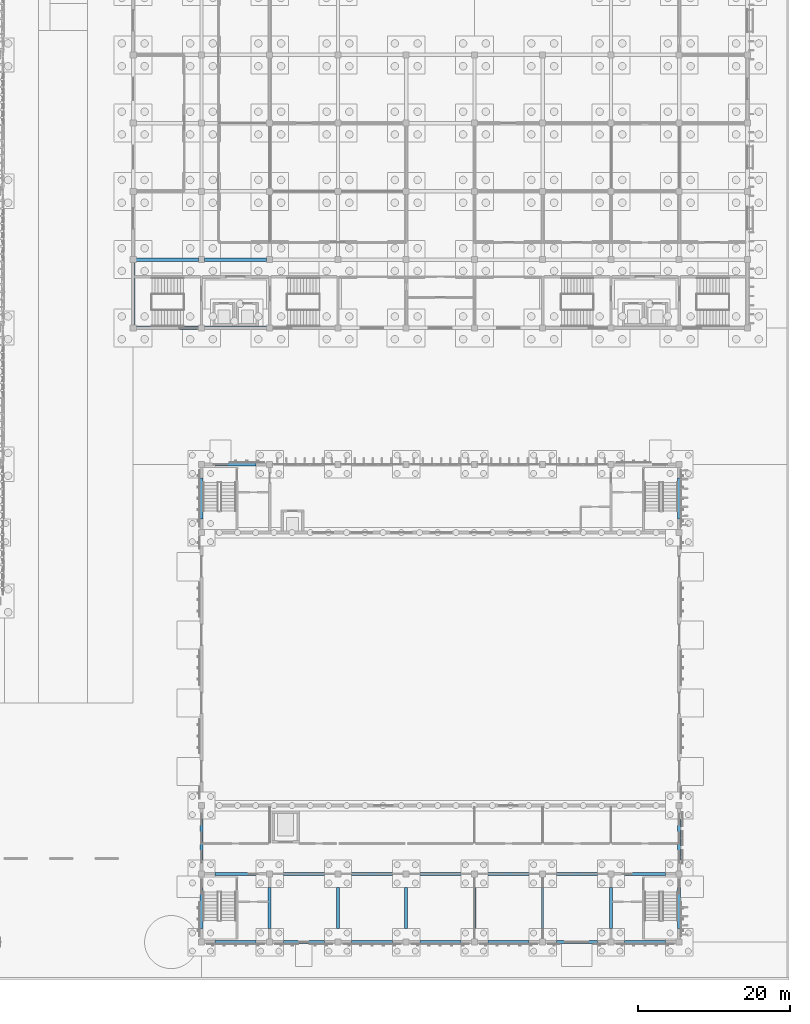
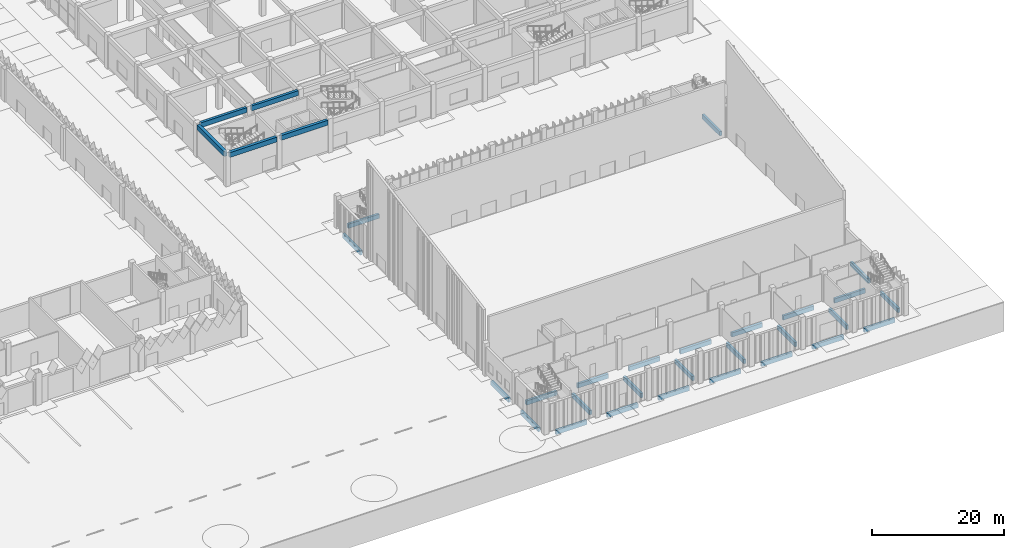
# One storey, part 50 of 198: 32 beams.
"""IFC4 building model written with IfcOpenShell, lengths in metres."""

from ifc_helpers import new_model, si_unit, direction, frame, origin, origin_2d, place, context, subcontext, project, spatial, rectangle, extrude, material, material_profile, profile_set, type_object, element, save


model = new_model("IFC4")

# Units and contexts
model_context = context("Model", 3, precision=1e-05, world=origin(), true_north=direction((0.0, 1.0)))
body_context = subcontext(model_context, "Body", "Model", "MODEL_VIEW")
ifc_project = project(units=[si_unit("LENGTHUNIT", "METRE"), si_unit("AREAUNIT", "SQUARE_METRE"), si_unit("VOLUMEUNIT", "CUBIC_METRE"), si_unit("PLANEANGLEUNIT", "RADIAN"), si_unit("MASSUNIT", "GRAM", prefix="KILO")], contexts=[model_context])

# Site, building, storey
site_placement = place(None, origin())
site = spatial("IfcSite", under=ifc_project, at=site_placement, CompositionType="ELEMENT")
building_placement = place(site_placement, origin())
building = spatial("IfcBuilding", under=site, at=building_placement, Name="Opaline Strait Convention Centre", CompositionType="ELEMENT")
storey_placement = place(building_placement, origin())
storey = spatial("IfcBuildingStorey", under=building, at=storey_placement, Name="L00", CompositionType="ELEMENT", Elevation=0.0)

# Beams
ifc_material = material(Name="Concrete C35", Category="concrete")
ifc_material_profile_1 = material_profile(ifc_material, rectangle(XDim=0.39990234375, YDim=0.800048828125, at=origin_2d()), Name="RC 400x800")
ifc_profile_set_1 = profile_set([ifc_material_profile_1], Name="Concrete C35")
beam_type_1 = type_object("IfcBeamType", Name="Ground beam 400x800 C35", PredefinedType="BEAM", material=ifc_profile_set_1)
for number, where, z_axis, x_axis, name in (
    (1, (289.800048828125, 9.0, -0.699951171875), (1.0, 0.0, 0.0), (0.0, 1.0, 0.0), "BG1 ground beam 33/B-34/B"),
    (2, (288.0, 10.800048828125, -0.699951171875), (0.0, 1.0, 0.0), (-1.0, 0.0, 0.0), "BG1 ground beam 33/B-33/C"),
    (3, (298.800048828125, 9.0, -0.699951171875), (1.0, 0.0, 0.0), (0.0, 1.0, 0.0), "BG1 ground beam 34/B-35/B"),
    (4, (297.0, 10.800048828125, -0.699951171875), (0.0, 1.0, 0.0), (-1.0, 0.0, 0.0), "BG1 ground beam 34/B-34/C"),
    (5, (307.800048828125, 9.0, -0.699951171875), (1.0, 0.0, 0.0), (0.0, 1.0, 0.0), "BG1 ground beam 35/B-36/B"),
    (6, (306.0, 10.800048828125, -0.699951171875), (0.0, 1.0, 0.0), (-1.0, 0.0, 0.0), "BG1 ground beam 35/B-35/C"),
    (7, (316.800048828125, 9.0, -0.699951171875), (1.0, 0.0, 0.0), (0.0, 1.0, 0.0), "BG1 ground beam 36/B-37/B"),
    (8, (315.0, 10.800048828125, -0.699951171875), (0.0, 1.0, 0.0), (-1.0, 0.0, 0.0), "BG1 ground beam 36/B-36/C"),
    (9, (325.800048828125, 9.0, -0.699951171875), (1.0, 0.0, 0.0), (0.0, 1.0, 0.0), "BG1 ground beam 37/B-38/B"),
    (10, (324.0, 10.800048828125, -0.699951171875), (0.0, 1.0, 0.0), (-1.0, 0.0, 0.0), "BG1 ground beam 37/B-37/C"),
    (11, (334.800048828125, 9.0, -0.699951171875), (1.0, 0.0, 0.0), (0.0, 1.0, 0.0), "BG1 ground beam 38/B-39/B"),
    (12, (333.0, 10.800048828125, -0.699951171875), (0.0, 1.0, 0.0), (-1.0, 0.0, 0.0), "BG1 ground beam 38/B-38/C"),
    (13, (343.800048828125, 9.0, -0.699951171875), (1.0, 0.0, 0.0), (0.0, 1.0, 0.0), "BG1 ground beam 39/B-40/B"),
    (14, (342.0, 10.800048828125, -0.699951171875), (0.0, 1.0, 0.0), (-1.0, 0.0, 0.0), "BG1 ground beam 39/B-39/C"),
    (15, (351.0, 10.800048828125, -0.699951171875), (0.0, 1.0, 0.0), (-1.0, 0.0, 0.0), "BG1 ground beam 40/B-40/C"),
    (16, (289.800048828125, 18.0, -0.699951171875), (1.0, 0.0, 0.0), (0.0, 1.0, 0.0), "BG1 ground beam 33/C-34/C"),
    (17, (288.0, 19.800048828125, -0.699951171875), (0.0, 1.0, 0.0), (-1.0, 0.0, 0.0), "BG1 ground beam 33/C-33/D"),
    (18, (298.800048828125, 18.0, -0.699951171875), (1.0, 0.0, 0.0), (0.0, 1.0, 0.0), "BG1 ground beam 34/C-35/C"),
    (19, (307.800048828125, 18.0, -0.699951171875), (1.0, 0.0, 0.0), (0.0, 1.0, 0.0), "BG1 ground beam 35/C-36/C"),
    (20, (316.800048828125, 18.0, -0.699951171875), (1.0, 0.0, 0.0), (0.0, 1.0, 0.0), "BG1 ground beam 36/C-37/C"),
    (21, (325.800048828125, 18.0, -0.699951171875), (1.0, 0.0, 0.0), (0.0, 1.0, 0.0), "BG1 ground beam 37/C-38/C"),
    (22, (334.800048828125, 18.0, -0.699951171875), (1.0, 0.0, 0.0), (0.0, 1.0, 0.0), "BG1 ground beam 38/C-39/C"),
    (23, (343.800048828125, 18.0, -0.699951171875), (1.0, 0.0, 0.0), (0.0, 1.0, 0.0), "BG1 ground beam 39/C-40/C"),
    (24, (351.0, 19.800048828125, -0.699951171875), (0.0, 1.0, 0.0), (-1.0, 0.0, 0.0), "BG1 ground beam 40/C-40/D"),
    (25, (288.0, 64.800048828125, -0.699951171875), (0.0, 1.0, 0.0), (-1.0, 0.0, 0.0), "BG1 ground beam 33/H-33/J"),
    (26, (351.0, 64.800048828125, -0.699951171875), (0.0, 1.0, 0.0), (-1.0, 0.0, 0.0), "BG1 ground beam 40/H-40/J"),
    (27, (289.800048828125, 72.0, -0.699951171875), (1.0, 0.0, 0.0), (0.0, 1.0, 0.0), "BG1 ground beam 33/J-34/J"),
):
    element("IfcBeam", number, at=place(storey_placement, frame(where, z_axis=z_axis, x_axis=x_axis)), inside=storey, type_object=beam_type_1, Name=name, PredefinedType="BEAM", context=body_context, shape_type="SweptSolid", body=[
        extrude(rectangle(XDim=0.39990234375, YDim=0.800048828125, at=origin_2d()), origin(), (0.0, 0.0, 1.0), 5.39990234375),
    ])
ifc_material_profile_2 = material_profile(ifc_material, rectangle(XDim=0.449951171875, YDim=0.89990234375, at=origin_2d()), Name="RC 450x900")
ifc_profile_set_2 = profile_set([ifc_material_profile_2], Name="Concrete C35")
beam_type_2 = type_object("IfcBeamType", Name="RC beam 450x900 C35", PredefinedType="BEAM", material=ifc_profile_set_2)
for number, where, z_axis, x_axis, name in (
    (28, (279.39990234375, 99.0, 5.27001953125), (1.0, 0.0, 0.0), (0.0, 1.0, 0.0), "XB1 L00 32/M-33/M"),
    (29, (288.39990234375, 99.0, 5.27001953125), (1.0, 0.0, 0.0), (0.0, 1.0, 0.0), "XB1 L00 33/M-34/M"),
):
    element("IfcBeam", number, at=place(storey_placement, frame(where, z_axis=z_axis, x_axis=x_axis)), inside=storey, type_object=beam_type_2, Name=name, PredefinedType="BEAM", context=body_context, shape_type="SweptSolid", body=[
        extrude(rectangle(XDim=0.449951171875, YDim=0.89990234375, at=origin_2d()), origin(), (0.0, 0.0, 1.0), 8.2001953125),
    ])
ifc_material_profile_3 = material_profile(ifc_material, rectangle(XDim=0.5, YDim=0.89990234375, at=origin_2d()), Name="RC 500x900")
ifc_profile_set_3 = profile_set([ifc_material_profile_3], Name="Concrete C35")
beam_type_3 = type_object("IfcBeamType", Name="RC edge beam 500x900 C35", PredefinedType="BEAM", material=ifc_profile_set_3)
for number, where, z_axis, x_axis, name in (
    (30, (279.39990234375, 90.0, 5.27001953125), (1.0, 0.0, 0.0), (0.0, 1.0, 0.0), "MRB2 L00 32/L-33/L"),
    (31, (288.39990234375, 90.0, 5.27001953125), (1.0, 0.0, 0.0), (0.0, 1.0, 0.0), "MRB2 L00 33/L-34/L"),
    (32, (279.0, 90.39990234375, 5.27001953125), (0.0, 1.0, 0.0), (-1.0, 0.0, 0.0), "MRB2 L00 32/L-32/M"),
):
    element("IfcBeam", number, at=place(storey_placement, frame(where, z_axis=z_axis, x_axis=x_axis)), inside=storey, type_object=beam_type_3, Name=name, PredefinedType="BEAM", context=body_context, shape_type="SweptSolid", body=[
        extrude(rectangle(XDim=0.5, YDim=0.89990234375, at=origin_2d()), origin(), (0.0, 0.0, 1.0), 8.2001953125),
    ])

save(model, "model.ifc")
